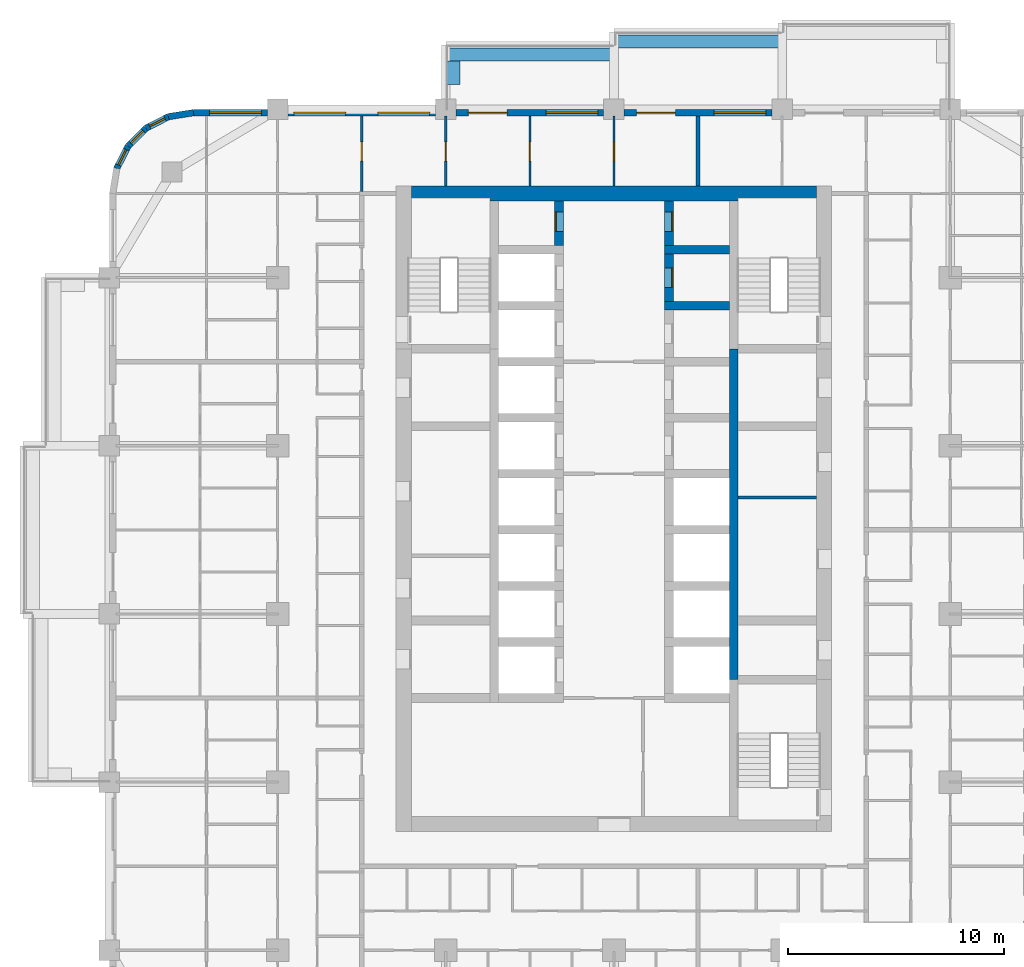
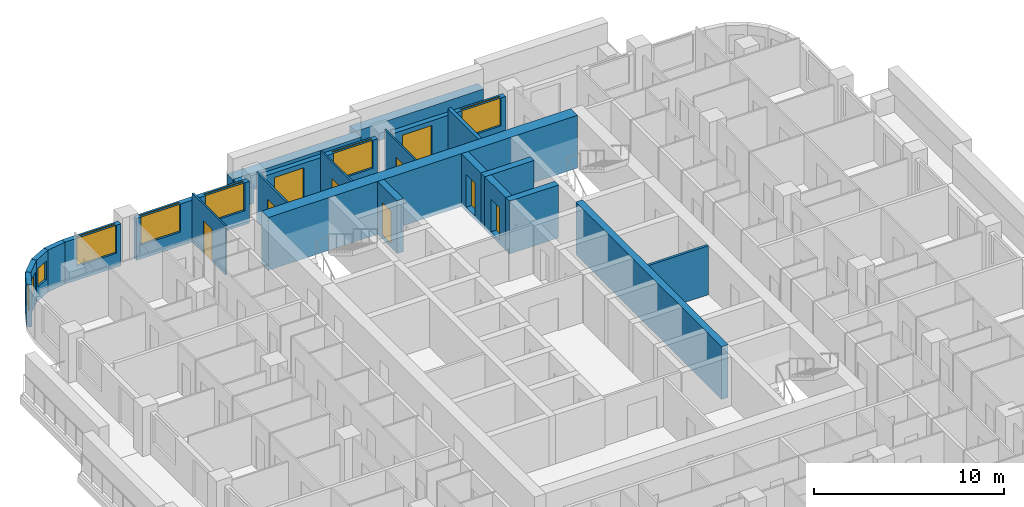
# One storey, part 11 of 17: 24 walls, 9 doors, 8 windows, 17 openings.
"""IFC4 building model written with IfcOpenShell, lengths in metres."""

from ifc_helpers import new_model, si_unit, direction, frame, frame_2d, origin, place, context, subcontext, project, spatial, rectangle, extrude, material, layer, layer_set, type_object, element, fill, save


model = new_model("IFC4")

# Units and contexts
model_context = context("Model", 3, precision=1e-05, world=origin(), true_north=direction((0.0, 1.0)))
body_context = subcontext(model_context, "Body", "Model", "MODEL_VIEW")
ifc_project = project(units=[si_unit("LENGTHUNIT", "METRE"), si_unit("AREAUNIT", "SQUARE_METRE"), si_unit("VOLUMEUNIT", "CUBIC_METRE"), si_unit("PLANEANGLEUNIT", "RADIAN"), si_unit("MASSUNIT", "GRAM", prefix="KILO")], contexts=[model_context])

# Site, building, storey
site_placement = place(None, origin())
site = spatial("IfcSite", under=ifc_project, at=site_placement, CompositionType="ELEMENT")
building_placement = place(site_placement, origin())
building = spatial("IfcBuilding", under=site, at=building_placement, Name="Ludao Terraces", CompositionType="ELEMENT")
storey_placement = place(building_placement, frame((0.0, 0.0, 85.199951171875)))
storey = spatial("IfcBuildingStorey", under=building, at=storey_placement, Name="L23", CompositionType="ELEMENT", Elevation=85.199951171875)

# Walls
ifc_material_1 = material(Name="Concrete C70", Category="concrete")
ifc_layer_1 = layer(ifc_material_1, 0.699951171875)
ifc_layer_set_1 = layer_set([ifc_layer_1], Name="Core wall 700 C70")
wall_type_1 = type_object("IfcWallType", Name="Core wall 700 C70", PredefinedType="SOLIDWALL", material=ifc_layer_set_1)
wall_1_placement = place(storey_placement, frame((75.60009765625, 84.5, -0.25), z_axis=(0.0, 0.0, 1.0), x_axis=(1.0, 0.0, 0.0)))
element("IfcWall", 1, at=wall_1_placement, inside=storey, type_object=wall_type_1, Name="Core wall L23 outer-N", PredefinedType="SOLIDWALL", context=body_context, shape_type="SweptSolid", body=[
    extrude(rectangle(XDim=18.7998046875, YDim=0.699951171875, at=frame_2d((9.39990234375, 0.0))), origin(), (0.0, 0.0, 1.0), 3.400146484375),
])
ifc_material_2 = material(Name="Concrete C40", Category="concrete")
ifc_layer_2 = layer(ifc_material_2, 0.60009765625)
ifc_layer_set_2 = layer_set([ifc_layer_2], Name="ENV Planter trough 600")
wall_type_2 = type_object("IfcWallType", Name="ENV Planter trough 600", PredefinedType="USERDEFINED", material=ifc_layer_set_2)
wall_2_placement = place(storey_placement, frame((77.199951171875, 90.949951171875, 0.0), z_axis=(0.0, 0.0, 1.0), x_axis=(1.0, 0.0, 0.0)))
element("IfcWall", 2, at=wall_2_placement, inside=storey, type_object=wall_type_2, Name="PL-L23-N2", ObjectType="PLANTER", PredefinedType="USERDEFINED", context=body_context, shape_type="SweptSolid", body=[
    extrude(rectangle(XDim=7.800048828125, YDim=0.60009765625, at=frame_2d((3.89990234375, 0.0))), origin(), (0.0, 0.0, 1.0), 1.10009765625),
])
wall_3_placement = place(storey_placement, frame((77.550048828125, 90.64990234375, 0.0), z_axis=(0.0, 0.0, 1.0), x_axis=(0.0, -1.0, 0.0)))
element("IfcWall", 3, at=wall_3_placement, inside=storey, type_object=wall_type_2, Name="PL-L23-N2-SA", ObjectType="PLANTER", PredefinedType="USERDEFINED", context=body_context, shape_type="SweptSolid", body=[
    extrude(rectangle(XDim=1.099853515625, YDim=0.60009765625, at=frame_2d((0.5498046875, 0.0))), origin(), (0.0, 0.0, 1.0), 1.10009765625),
])
wall_4_placement = place(storey_placement, frame((85.0, 91.550048828125, 0.0), z_axis=(0.0, 0.0, 1.0), x_axis=(1.0, 0.0, 0.0)))
element("IfcWall", 4, at=wall_4_placement, inside=storey, type_object=wall_type_2, Name="PL-L23-N3", ObjectType="PLANTER", PredefinedType="USERDEFINED", context=body_context, shape_type="SweptSolid", body=[
    extrude(rectangle(XDim=7.800048828125, YDim=0.60009765625, at=frame_2d((3.89990234375, 0.0))), origin(), (0.0, 0.0, 1.0), 1.10009765625),
])

# Wall, opening, window
ifc_material_3 = material(Name="Granite cladding", Category="masonry")
ifc_layer_3 = layer(ifc_material_3, 0.0400390625, Category="stone")
ifc_material_4 = material(Name="Mineral wool")
ifc_layer_4 = layer(ifc_material_4, 0.06005859375)
ifc_layer_5 = layer(ifc_material_2, 0.199951171875, Category="concrete")
ifc_layer_set_3 = layer_set([ifc_layer_3, ifc_layer_4, ifc_layer_5], Name="ENV Stone-clad wall 300")
wall_type_3 = type_object("IfcWallType", Name="ENV Stone-clad wall 300", PredefinedType="SOLIDWALL", material=ifc_layer_set_3)
wall_5_placement = place(storey_placement, frame((65.5, 88.25, 0.0), z_axis=(0.0, 0.0, 1.0), x_axis=(1.0, 0.0, 0.0)))
wall_5 = element("IfcWall", 5, at=wall_5_placement, inside=storey, type_object=wall_type_3, Name="EW-L23-N1", PredefinedType="SOLIDWALL", context=body_context, shape_type="SweptSolid", body=[
    extrude(rectangle(XDim=3.425048828125, YDim=0.300048828125, at=frame_2d((1.71240234375, 0.0))), origin(), (0.0, 0.0, 1.0), 2.699951171875),
])
opening_1_placement = place(wall_5_placement, frame((0.75, 0.0, 0.89990234375)))
opening_1 = element("IfcOpeningElement", 6, at=opening_1_placement, cuts=wall_5, Name="Opening W1", PredefinedType="OPENING", context=body_context, shape_type="SweptSolid", body=[
    extrude(rectangle(XDim=2.39990234375, YDim=1.800048828125, at=frame_2d((1.199951171875, 0.89990234375))), frame((0.0, 0.16015625, 0.0), z_axis=(0.0, -1.0, 0.0), x_axis=(1.0, 0.0, 0.0)), (0.0, 0.0, 1.0), 0.320068359375),
])
ifc_material_5 = material(Name="Clear glass in aluminium frame", Category="aluminium")
ifc_layer_6 = layer(ifc_material_5, 0.06005859375)
ifc_layer_set_4 = layer_set([ifc_layer_6], Name="ENV Window W1 2400x1800")
window_type_1 = type_object("IfcWindowType", Name="ENV Window W1 2400x1800", PartitioningType="DOUBLE_PANEL_VERTICAL", PredefinedType="WINDOW", material=ifc_layer_set_4)
window_1_placement = place(opening_1_placement, origin())
window_1 = element("IfcWindow", 7, at=window_1_placement, inside=storey, type_object=window_type_1, Name="W-L23-N1-1", OverallHeight=1.800048828125, OverallWidth=2.39990234375, PartitioningType="DOUBLE_PANEL_VERTICAL", PredefinedType="WINDOW", context=body_context, shape_type="SweptSolid", body=[
    extrude(rectangle(XDim=2.39990234375, YDim=1.800048828125, at=frame_2d((1.199951171875, 0.89990234375))), frame((0.0, 0.030029296875, 0.0), z_axis=(0.0, -1.0, 0.0), x_axis=(1.0, 0.0, 0.0)), (0.0, 0.0, 1.0), 0.06005859375),
])
fill(opening_1, window_1)

# Wall, openings, windows
wall_6_placement = place(storey_placement, frame((69.875, 88.25, 0.0), z_axis=(0.0, 0.0, 1.0), x_axis=(1.0, 0.0, 0.0)))
wall_6 = element("IfcWall", 8, at=wall_6_placement, inside=storey, type_object=wall_type_3, Name="EW-L23-N2", PredefinedType="SOLIDWALL", context=body_context, shape_type="SweptSolid", body=[
    extrude(rectangle(XDim=6.85009765625, YDim=0.300048828125, at=frame_2d((3.425048828125, 0.0))), origin(), (0.0, 0.0, 1.0), 2.699951171875),
])
opening_2_placement = place(wall_6_placement, frame((0.27490234375, 0.0, 0.89990234375)))
opening_2 = element("IfcOpeningElement", 9, at=opening_2_placement, cuts=wall_6, Name="Opening W1", PredefinedType="OPENING", context=body_context, shape_type="SweptSolid", body=[
    extrude(rectangle(XDim=2.39990234375, YDim=1.800048828125, at=frame_2d((1.199951171875, 0.89990234375))), frame((0.0, 0.16015625, 0.0), z_axis=(0.0, -1.0, 0.0), x_axis=(1.0, 0.0, 0.0)), (0.0, 0.0, 1.0), 0.320068359375),
])
opening_3_placement = place(wall_6_placement, frame((4.175048828125, 0.0, 0.89990234375)))
opening_3 = element("IfcOpeningElement", 10, at=opening_3_placement, cuts=wall_6, Name="Opening W1", PredefinedType="OPENING", context=body_context, shape_type="SweptSolid", body=[
    extrude(rectangle(XDim=2.39990234375, YDim=1.800048828125, at=frame_2d((1.199951171875, 0.89990234375))), frame((0.0, 0.16015625, 0.0), z_axis=(0.0, -1.0, 0.0), x_axis=(1.0, 0.0, 0.0)), (0.0, 0.0, 1.0), 0.320068359375),
])
window_2_placement = place(opening_2_placement, origin())
window_2 = element("IfcWindow", 11, at=window_2_placement, inside=storey, type_object=window_type_1, Name="W-L23-N2-1", OverallHeight=1.800048828125, OverallWidth=2.39990234375, PartitioningType="DOUBLE_PANEL_VERTICAL", PredefinedType="WINDOW", context=body_context, shape_type="SweptSolid", body=[
    extrude(rectangle(XDim=2.39990234375, YDim=1.800048828125, at=frame_2d((1.199951171875, 0.89990234375))), frame((0.0, 0.030029296875, 0.0), z_axis=(0.0, -1.0, 0.0), x_axis=(1.0, 0.0, 0.0)), (0.0, 0.0, 1.0), 0.06005859375),
])
fill(opening_2, window_2)
window_3_placement = place(opening_3_placement, origin())
window_3 = element("IfcWindow", 12, at=window_3_placement, inside=storey, type_object=window_type_1, Name="W-L23-N2-2", OverallHeight=1.800048828125, OverallWidth=2.39990234375, PartitioningType="DOUBLE_PANEL_VERTICAL", PredefinedType="WINDOW", context=body_context, shape_type="SweptSolid", body=[
    extrude(rectangle(XDim=2.39990234375, YDim=1.800048828125, at=frame_2d((1.199951171875, 0.89990234375))), frame((0.0, 0.030029296875, 0.0), z_axis=(0.0, -1.0, 0.0), x_axis=(1.0, 0.0, 0.0)), (0.0, 0.0, 1.0), 0.06005859375),
])
fill(opening_3, window_3)

# Wall, openings, door, window
wall_7_placement = place(storey_placement, frame((77.675048828125, 88.25, 0.0), z_axis=(0.0, 0.0, 1.0), x_axis=(1.0, 0.0, 0.0)))
wall_7 = element("IfcWall", 13, at=wall_7_placement, inside=storey, type_object=wall_type_3, Name="EW-L23-N3", PredefinedType="SOLIDWALL", context=body_context, shape_type="SweptSolid", body=[
    extrude(rectangle(XDim=6.849853515625, YDim=0.300048828125, at=frame_2d((3.4248046875, 0.0))), origin(), (0.0, 0.0, 1.0), 2.699951171875),
])
opening_4_placement = place(wall_7_placement, frame((0.574951171875, 0.0, 0.0)))
opening_4 = element("IfcOpeningElement", 14, at=opening_4_placement, cuts=wall_7, Name="Opening BD", PredefinedType="OPENING", context=body_context, shape_type="SweptSolid", body=[
    extrude(rectangle(XDim=1.800048828125, YDim=2.39990234375, at=frame_2d((0.89990234375, 1.199951171875))), frame((0.0, 0.16015625, 0.0), z_axis=(0.0, -1.0, 0.0), x_axis=(1.0, 0.0, 0.0)), (0.0, 0.0, 1.0), 0.320068359375),
])
opening_5_placement = place(wall_7_placement, frame((4.175048828125, 0.0, 0.89990234375)))
opening_5 = element("IfcOpeningElement", 15, at=opening_5_placement, cuts=wall_7, Name="Opening W1", PredefinedType="OPENING", context=body_context, shape_type="SweptSolid", body=[
    extrude(rectangle(XDim=2.39990234375, YDim=1.800048828125, at=frame_2d((1.199951171875, 0.89990234375))), frame((0.0, 0.16015625, 0.0), z_axis=(0.0, -1.0, 0.0), x_axis=(1.0, 0.0, 0.0)), (0.0, 0.0, 1.0), 0.320068359375),
])
ifc_material_6 = material(Name="Aluminium glazed door", Category="aluminium")
ifc_layer_7 = layer(ifc_material_6, 0.06005859375)
ifc_layer_set_5 = layer_set([ifc_layer_7], Name="ENV Balcony door BD 1800x2400")
door_type_1 = type_object("IfcDoorType", Name="ENV Balcony door BD 1800x2400", OperationType="DOUBLE_DOOR_SINGLE_SWING", PredefinedType="DOOR", material=ifc_layer_set_5)
door_1_placement = place(opening_4_placement, origin())
door_1 = element("IfcDoor", 16, at=door_1_placement, inside=storey, type_object=door_type_1, Name="BD-L23-N3-1", OperationType="DOUBLE_DOOR_SINGLE_SWING", OverallHeight=2.39990234375, OverallWidth=1.800048828125, PredefinedType="DOOR", context=body_context, shape_type="SweptSolid", body=[
    extrude(rectangle(XDim=1.800048828125, YDim=2.39990234375, at=frame_2d((0.89990234375, 1.199951171875))), frame((0.0, 0.02490234375, 0.0), z_axis=(0.0, -1.0, 0.0), x_axis=(1.0, 0.0, 0.0)), (0.0, 0.0, 1.0), 0.050048828125),
])
fill(opening_4, door_1)
window_4_placement = place(opening_5_placement, origin())
window_4 = element("IfcWindow", 17, at=window_4_placement, inside=storey, type_object=window_type_1, Name="W-L23-N3-2", OverallHeight=1.800048828125, OverallWidth=2.39990234375, PartitioningType="DOUBLE_PANEL_VERTICAL", PredefinedType="WINDOW", context=body_context, shape_type="SweptSolid", body=[
    extrude(rectangle(XDim=2.39990234375, YDim=1.800048828125, at=frame_2d((1.199951171875, 0.89990234375))), frame((0.0, 0.030029296875, 0.0), z_axis=(0.0, -1.0, 0.0), x_axis=(1.0, 0.0, 0.0)), (0.0, 0.0, 1.0), 0.06005859375),
])
fill(opening_5, window_4)

wall_8_placement = place(storey_placement, frame((85.47509765625, 88.25, 0.0), z_axis=(0.0, 0.0, 1.0), x_axis=(1.0, 0.0, 0.0)))
wall_8 = element("IfcWall", 18, at=wall_8_placement, inside=storey, type_object=wall_type_3, Name="EW-L23-N4", PredefinedType="SOLIDWALL", context=body_context, shape_type="SweptSolid", body=[
    extrude(rectangle(XDim=6.849853515625, YDim=0.300048828125, at=frame_2d((3.4248046875, 0.0))), origin(), (0.0, 0.0, 1.0), 2.699951171875),
])
opening_6_placement = place(wall_8_placement, frame((0.574951171875, 0.0, 0.0)))
opening_6 = element("IfcOpeningElement", 19, at=opening_6_placement, cuts=wall_8, Name="Opening BD", PredefinedType="OPENING", context=body_context, shape_type="SweptSolid", body=[
    extrude(rectangle(XDim=1.800048828125, YDim=2.39990234375, at=frame_2d((0.89990234375, 1.199951171875))), frame((0.0, 0.16015625, 0.0), z_axis=(0.0, -1.0, 0.0), x_axis=(1.0, 0.0, 0.0)), (0.0, 0.0, 1.0), 0.320068359375),
])
opening_7_placement = place(wall_8_placement, frame((4.175048828125, 0.0, 0.89990234375)))
opening_7 = element("IfcOpeningElement", 20, at=opening_7_placement, cuts=wall_8, Name="Opening W1", PredefinedType="OPENING", context=body_context, shape_type="SweptSolid", body=[
    extrude(rectangle(XDim=2.39990234375, YDim=1.800048828125, at=frame_2d((1.199951171875, 0.89990234375))), frame((0.0, 0.16015625, 0.0), z_axis=(0.0, -1.0, 0.0), x_axis=(1.0, 0.0, 0.0)), (0.0, 0.0, 1.0), 0.320068359375),
])
door_2_placement = place(opening_6_placement, origin())
door_2 = element("IfcDoor", 21, at=door_2_placement, inside=storey, type_object=door_type_1, Name="BD-L23-N4-1", OperationType="DOUBLE_DOOR_SINGLE_SWING", OverallHeight=2.39990234375, OverallWidth=1.800048828125, PredefinedType="DOOR", context=body_context, shape_type="SweptSolid", body=[
    extrude(rectangle(XDim=1.800048828125, YDim=2.39990234375, at=frame_2d((0.89990234375, 1.199951171875))), frame((0.0, 0.02490234375, 0.0), z_axis=(0.0, -1.0, 0.0), x_axis=(1.0, 0.0, 0.0)), (0.0, 0.0, 1.0), 0.050048828125),
])
fill(opening_6, door_2)
window_5_placement = place(opening_7_placement, origin())
window_5 = element("IfcWindow", 22, at=window_5_placement, inside=storey, type_object=window_type_1, Name="W-L23-N4-2", OverallHeight=1.800048828125, OverallWidth=2.39990234375, PartitioningType="DOUBLE_PANEL_VERTICAL", PredefinedType="WINDOW", context=body_context, shape_type="SweptSolid", body=[
    extrude(rectangle(XDim=2.39990234375, YDim=1.800048828125, at=frame_2d((1.199951171875, 0.89990234375))), frame((0.0, 0.030029296875, 0.0), z_axis=(0.0, -1.0, 0.0), x_axis=(1.0, 0.0, 0.0)), (0.0, 0.0, 1.0), 0.06005859375),
])
fill(opening_7, window_5)

# Wall
wall_9_placement = place(storey_placement, frame((65.5, 88.25, 0.0), z_axis=(0.0, 0.0, 1.0), x_axis=(-0.987678452879, -0.156496880861, 0.0)))
element("IfcWall", 23, at=wall_9_placement, inside=storey, type_object=wall_type_3, Name="EW-L23-NW1", PredefinedType="SOLIDWALL", context=body_context, shape_type="SweptSolid", body=[
    extrude(rectangle(XDim=1.173095703125, YDim=0.300048828125, at=frame_2d((0.58642578125, 0.0))), origin(), (0.0, 0.0, 1.0), 2.699951171875),
])

# Wall, opening, window
wall_10_placement = place(storey_placement, frame((64.34130859375, 88.06640625, 0.0), z_axis=(0.0, 0.0, 1.0), x_axis=(-0.890988677504, -0.454025524128, 0.0)))
wall_10 = element("IfcWall", 24, at=wall_10_placement, inside=storey, type_object=wall_type_3, Name="EW-L23-NW2", PredefinedType="SOLIDWALL", context=body_context, shape_type="SweptSolid", body=[
    extrude(rectangle(XDim=1.17333984375, YDim=0.300048828125, at=frame_2d((0.586669921875, 0.0))), origin(), (0.0, 0.0, 1.0), 2.699951171875),
])
opening_8_placement = place(wall_10_placement, frame((0.1865234375, 0.0, 0.89990234375)))
opening_8 = element("IfcOpeningElement", 25, at=opening_8_placement, cuts=wall_10, Name="Opening W3", PredefinedType="OPENING", context=body_context, shape_type="SweptSolid", body=[
    extrude(rectangle(XDim=0.800048828125, YDim=1.199951171875, at=frame_2d((0.39990234375, 0.60009765625))), frame((0.0, 0.16015625, 0.0), z_axis=(0.0, -1.0, 0.0), x_axis=(1.0, 0.0, 0.0)), (0.0, 0.0, 1.0), 0.320068359375),
])
ifc_layer_8 = layer(ifc_material_5, 0.06005859375)
ifc_layer_set_6 = layer_set([ifc_layer_8], Name="ENV Window W3 800x1200")
window_type_2 = type_object("IfcWindowType", Name="ENV Window W3 800x1200", PartitioningType="SINGLE_PANEL", PredefinedType="WINDOW", material=ifc_layer_set_6)
window_6_placement = place(opening_8_placement, origin())
window_6 = element("IfcWindow", 26, at=window_6_placement, inside=storey, type_object=window_type_2, Name="W-L23-NW2", OverallHeight=1.199951171875, OverallWidth=0.800048828125, PartitioningType="SINGLE_PANEL", PredefinedType="WINDOW", context=body_context, shape_type="SweptSolid", body=[
    extrude(rectangle(XDim=0.800048828125, YDim=1.199951171875, at=frame_2d((0.39990234375, 0.60009765625))), frame((0.0, 0.030029296875, 0.0), z_axis=(0.0, -1.0, 0.0), x_axis=(1.0, 0.0, 0.0)), (0.0, 0.0, 1.0), 0.06005859375),
])
fill(opening_8, window_6)

wall_11_placement = place(storey_placement, frame((63.2958984375, 87.53369140625, 0.0), z_axis=(0.0, 0.0, 1.0), x_axis=(-0.707106781187, -0.707106781187, 0.0)))
wall_11 = element("IfcWall", 27, at=wall_11_placement, inside=storey, type_object=wall_type_3, Name="EW-L23-NW3", PredefinedType="SOLIDWALL", context=body_context, shape_type="SweptSolid", body=[
    extrude(rectangle(XDim=1.173095703125, YDim=0.300048828125, at=frame_2d((0.58642578125, 0.0))), origin(), (0.0, 0.0, 1.0), 2.699951171875),
])
opening_9_placement = place(wall_11_placement, frame((0.1865234375, 0.0, 0.89990234375)))
opening_9 = element("IfcOpeningElement", 28, at=opening_9_placement, cuts=wall_11, Name="Opening W3", PredefinedType="OPENING", context=body_context, shape_type="SweptSolid", body=[
    extrude(rectangle(XDim=0.800048828125, YDim=1.199951171875, at=frame_2d((0.39990234375, 0.60009765625))), frame((0.0, 0.16015625, 0.0), z_axis=(0.0, -1.0, 0.0), x_axis=(1.0, 0.0, 0.0)), (0.0, 0.0, 1.0), 0.320068359375),
])
window_7_placement = place(opening_9_placement, origin())
window_7 = element("IfcWindow", 29, at=window_7_placement, inside=storey, type_object=window_type_2, Name="W-L23-NW3", OverallHeight=1.199951171875, OverallWidth=0.800048828125, PartitioningType="SINGLE_PANEL", PredefinedType="WINDOW", context=body_context, shape_type="SweptSolid", body=[
    extrude(rectangle(XDim=0.800048828125, YDim=1.199951171875, at=frame_2d((0.39990234375, 0.60009765625))), frame((0.0, 0.030029296875, 0.0), z_axis=(0.0, -1.0, 0.0), x_axis=(1.0, 0.0, 0.0)), (0.0, 0.0, 1.0), 0.06005859375),
])
fill(opening_9, window_7)

wall_12_placement = place(storey_placement, frame((62.46630859375, 86.7041015625, 0.0), z_axis=(0.0, 0.0, 1.0), x_axis=(-0.454025524128, -0.890988677504, 0.0)))
wall_12 = element("IfcWall", 30, at=wall_12_placement, inside=storey, type_object=wall_type_3, Name="EW-L23-NW4", PredefinedType="SOLIDWALL", context=body_context, shape_type="SweptSolid", body=[
    extrude(rectangle(XDim=1.17333984375, YDim=0.300048828125, at=frame_2d((0.586669921875, 0.0))), origin(), (0.0, 0.0, 1.0), 2.699951171875),
])
opening_10_placement = place(wall_12_placement, frame((0.1865234375, 0.0, 0.89990234375)))
opening_10 = element("IfcOpeningElement", 31, at=opening_10_placement, cuts=wall_12, Name="Opening W3", PredefinedType="OPENING", context=body_context, shape_type="SweptSolid", body=[
    extrude(rectangle(XDim=0.800048828125, YDim=1.199951171875, at=frame_2d((0.39990234375, 0.60009765625))), frame((0.0, 0.16015625, 0.0), z_axis=(0.0, -1.0, 0.0), x_axis=(1.0, 0.0, 0.0)), (0.0, 0.0, 1.0), 0.320068359375),
])
window_8_placement = place(opening_10_placement, origin())
window_8 = element("IfcWindow", 32, at=window_8_placement, inside=storey, type_object=window_type_2, Name="W-L23-NW4", OverallHeight=1.199951171875, OverallWidth=0.800048828125, PartitioningType="SINGLE_PANEL", PredefinedType="WINDOW", context=body_context, shape_type="SweptSolid", body=[
    extrude(rectangle(XDim=0.800048828125, YDim=1.199951171875, at=frame_2d((0.39990234375, 0.60009765625))), frame((0.0, 0.030029296875, 0.0), z_axis=(0.0, -1.0, 0.0), x_axis=(1.0, 0.0, 0.0)), (0.0, 0.0, 1.0), 0.06005859375),
])
fill(opening_10, window_8)

# Wall
ifc_material_7 = material(Name="Fire-rated gypsum plasterboard", Category="gypsum")
ifc_layer_9 = layer(ifc_material_7, 0.012451171875, Category="gypsum")
ifc_layer_10 = layer(ifc_material_4, 0.10009765625, Name="insulation")
ifc_material_8 = material(Name="Steel Q235", Category="steel")
ifc_layer_11 = layer(ifc_material_8, 0.02490234375, Name="stud")
ifc_layer_12 = layer(ifc_material_7, 0.012451171875, Category="gypsum")
ifc_layer_set_7 = layer_set([ifc_layer_9, ifc_layer_10, ifc_layer_11, ifc_layer_12], Name="INT Core partition 150")
wall_type_4 = type_object("IfcWallType", Name="INT Core partition 150", PredefinedType="PARTITIONING", material=ifc_layer_set_7)
wall_13_placement = place(storey_placement, frame((90.75, 70.39990234375, 0.0), z_axis=(0.0, 0.0, 1.0), x_axis=(1.0, 0.0, 0.0)))
element("IfcWall", 33, at=wall_13_placement, inside=storey, type_object=wall_type_4, Name="PW-L23-PW048", PredefinedType="PARTITIONING", context=body_context, shape_type="SweptSolid", body=[
    extrude(rectangle(XDim=3.650146484375, YDim=0.14990234375, at=frame_2d((1.8251953125, 0.0))), origin(), (0.0, 0.0, 1.0), 3.150146484375),
])

# Wall, opening, door
ifc_material_9 = material(Name="Gypsum plasterboard", Category="gypsum")
ifc_layer_13 = layer(ifc_material_9, 0.012451171875, Category="gypsum")
ifc_layer_14 = layer(ifc_material_4, 0.06005859375, Name="insulation")
ifc_layer_15 = layer(ifc_material_8, 0.014892578125, Name="stud")
ifc_layer_16 = layer(ifc_material_9, 0.012451171875, Category="gypsum")
ifc_layer_set_8 = layer_set([ifc_layer_13, ifc_layer_14, ifc_layer_15, ifc_layer_16], Name="INT Partition 100")
wall_type_5 = type_object("IfcWallType", Name="INT Partition 100", PredefinedType="PARTITIONING", material=ifc_layer_set_8)
wall_14_placement = place(storey_placement, frame((73.300048828125, 84.60009765625, 0.0), z_axis=(0.0, 0.0, 1.0), x_axis=(0.0, 1.0, 0.0)))
wall_14 = element("IfcWall", 34, at=wall_14_placement, inside=storey, type_object=wall_type_5, Name="PW-L23-PW089", PredefinedType="PARTITIONING", context=body_context, shape_type="SweptSolid", body=[
    extrude(rectangle(XDim=3.5, YDim=0.10009765625, at=frame_2d((1.75, 0.0))), origin(), (0.0, 0.0, 1.0), 3.150146484375),
])
opening_11_placement = place(wall_14_placement, frame((1.39990234375, 0.0, 0.0)))
opening_11 = element("IfcOpeningElement", 35, at=opening_11_placement, cuts=wall_14, Name="Opening R07-157", PredefinedType="OPENING", context=body_context, shape_type="SweptSolid", body=[
    extrude(rectangle(XDim=0.89990234375, YDim=2.10009765625, at=frame_2d((0.449951171875, 1.050048828125))), frame((0.0, 0.06005859375, 0.0), z_axis=(0.0, -1.0, 0.0), x_axis=(1.0, 0.0, 0.0)), (0.0, 0.0, 1.0), 0.1201171875),
])
ifc_material_10 = material(Name="Timber door leaf", Category="wood")
door_type_2 = type_object("IfcDoorType", Name="INT Room door 900", OperationType="SINGLE_SWING_LEFT", PredefinedType="DOOR", material=ifc_material_10)
door_3_placement = place(opening_11_placement, origin())
door_3 = element("IfcDoor", 36, at=door_3_placement, inside=storey, type_object=door_type_2, Name="DOOR 157", OperationType="SINGLE_SWING_LEFT", OverallHeight=2.10009765625, OverallWidth=0.89990234375, PredefinedType="DOOR", context=body_context, shape_type="SweptSolid", body=[
    extrude(rectangle(XDim=0.89990234375, YDim=2.10009765625, at=frame_2d((0.449951171875, 1.050048828125))), frame((0.0, 0.02490234375, 0.0), z_axis=(0.0, -1.0, 0.0), x_axis=(1.0, 0.0, 0.0)), (0.0, 0.0, 1.0), 0.050048828125),
])
fill(opening_11, door_3)

wall_15_placement = place(storey_placement, frame((77.199951171875, 84.85009765625, 0.0), z_axis=(0.0, 0.0, 1.0), x_axis=(0.0, 1.0, 0.0)))
wall_15 = element("IfcWall", 37, at=wall_15_placement, inside=storey, type_object=wall_type_5, Name="PW-L23-PW092", PredefinedType="PARTITIONING", context=body_context, shape_type="SweptSolid", body=[
    extrude(rectangle(XDim=3.25, YDim=0.10009765625, at=frame_2d((1.625, 0.0))), origin(), (0.0, 0.0, 1.0), 3.150146484375),
])
opening_12_placement = place(wall_15_placement, frame((1.14990234375, 0.0, 0.0)))
opening_12 = element("IfcOpeningElement", 38, at=opening_12_placement, cuts=wall_15, Name="Opening R07-158", PredefinedType="OPENING", context=body_context, shape_type="SweptSolid", body=[
    extrude(rectangle(XDim=0.89990234375, YDim=2.10009765625, at=frame_2d((0.449951171875, 1.050048828125))), frame((0.0, 0.06005859375, 0.0), z_axis=(0.0, -1.0, 0.0), x_axis=(1.0, 0.0, 0.0)), (0.0, 0.0, 1.0), 0.1201171875),
])
door_4_placement = place(opening_12_placement, origin())
door_4 = element("IfcDoor", 39, at=door_4_placement, inside=storey, type_object=door_type_2, Name="DOOR 158", OperationType="SINGLE_SWING_RIGHT", OverallHeight=2.10009765625, OverallWidth=0.89990234375, PredefinedType="DOOR", context=body_context, shape_type="SweptSolid", body=[
    extrude(rectangle(XDim=0.89990234375, YDim=2.10009765625, at=frame_2d((0.449951171875, 1.050048828125))), frame((0.0, 0.02490234375, 0.0), z_axis=(0.0, -1.0, 0.0), x_axis=(1.0, 0.0, 0.0)), (0.0, 0.0, 1.0), 0.050048828125),
])
fill(opening_12, door_4)

wall_16_placement = place(storey_placement, frame((81.10009765625, 84.85009765625, 0.0), z_axis=(0.0, 0.0, 1.0), x_axis=(0.0, 1.0, 0.0)))
wall_16 = element("IfcWall", 40, at=wall_16_placement, inside=storey, type_object=wall_type_5, Name="PW-L23-PW098", PredefinedType="PARTITIONING", context=body_context, shape_type="SweptSolid", body=[
    extrude(rectangle(XDim=3.25, YDim=0.10009765625, at=frame_2d((1.625, 0.0))), origin(), (0.0, 0.0, 1.0), 3.150146484375),
])
opening_13_placement = place(wall_16_placement, frame((1.14990234375, 0.0, 0.0)))
opening_13 = element("IfcOpeningElement", 41, at=opening_13_placement, cuts=wall_16, Name="Opening R07-159", PredefinedType="OPENING", context=body_context, shape_type="SweptSolid", body=[
    extrude(rectangle(XDim=0.89990234375, YDim=2.10009765625, at=frame_2d((0.449951171875, 1.050048828125))), frame((0.0, 0.06005859375, 0.0), z_axis=(0.0, -1.0, 0.0), x_axis=(1.0, 0.0, 0.0)), (0.0, 0.0, 1.0), 0.1201171875),
])
door_5_placement = place(opening_13_placement, origin())
door_5 = element("IfcDoor", 42, at=door_5_placement, inside=storey, type_object=door_type_2, Name="DOOR 159", OperationType="SINGLE_SWING_LEFT", OverallHeight=2.10009765625, OverallWidth=0.89990234375, PredefinedType="DOOR", context=body_context, shape_type="SweptSolid", body=[
    extrude(rectangle(XDim=0.89990234375, YDim=2.10009765625, at=frame_2d((0.449951171875, 1.050048828125))), frame((0.0, 0.02490234375, 0.0), z_axis=(0.0, -1.0, 0.0), x_axis=(1.0, 0.0, 0.0)), (0.0, 0.0, 1.0), 0.050048828125),
])
fill(opening_13, door_5)

wall_17_placement = place(storey_placement, frame((85.0, 84.85009765625, 0.0), z_axis=(0.0, 0.0, 1.0), x_axis=(0.0, 1.0, 0.0)))
wall_17 = element("IfcWall", 43, at=wall_17_placement, inside=storey, type_object=wall_type_5, Name="PW-L23-PW102", PredefinedType="PARTITIONING", context=body_context, shape_type="SweptSolid", body=[
    extrude(rectangle(XDim=3.25, YDim=0.10009765625, at=frame_2d((1.625, 0.0))), origin(), (0.0, 0.0, 1.0), 3.150146484375),
])
opening_14_placement = place(wall_17_placement, frame((1.14990234375, 0.0, 0.0)))
opening_14 = element("IfcOpeningElement", 44, at=opening_14_placement, cuts=wall_17, Name="Opening R07-160", PredefinedType="OPENING", context=body_context, shape_type="SweptSolid", body=[
    extrude(rectangle(XDim=0.89990234375, YDim=2.10009765625, at=frame_2d((0.449951171875, 1.050048828125))), frame((0.0, 0.06005859375, 0.0), z_axis=(0.0, -1.0, 0.0), x_axis=(1.0, 0.0, 0.0)), (0.0, 0.0, 1.0), 0.1201171875),
])
door_6_placement = place(opening_14_placement, origin())
door_6 = element("IfcDoor", 45, at=door_6_placement, inside=storey, type_object=door_type_2, Name="DOOR 160", OperationType="SINGLE_SWING_RIGHT", OverallHeight=2.10009765625, OverallWidth=0.89990234375, PredefinedType="DOOR", context=body_context, shape_type="SweptSolid", body=[
    extrude(rectangle(XDim=0.89990234375, YDim=2.10009765625, at=frame_2d((0.449951171875, 1.050048828125))), frame((0.0, 0.02490234375, 0.0), z_axis=(0.0, -1.0, 0.0), x_axis=(1.0, 0.0, 0.0)), (0.0, 0.0, 1.0), 0.050048828125),
])
fill(opening_14, door_6)

# Walls
ifc_material_11 = material(Name="Autoclaved aerated concrete block B06 A3.5", Category="concrete")
ifc_layer_17 = layer(ifc_material_11, 0.199951171875)
ifc_layer_set_9 = layer_set([ifc_layer_17], Name="INT Party wall 200")
wall_type_6 = type_object("IfcWallType", Name="INT Party wall 200", PredefinedType="PARTITIONING", material=ifc_layer_set_9)
wall_18_placement = place(storey_placement, frame((88.89990234375, 84.85009765625, 0.0), z_axis=(0.0, 0.0, 1.0), x_axis=(0.0, 1.0, 0.0)))
element("IfcWall", 46, at=wall_18_placement, inside=storey, type_object=wall_type_6, Name="PW-L23-PW107", PredefinedType="PARTITIONING", context=body_context, shape_type="SweptSolid", body=[
    extrude(rectangle(XDim=3.25, YDim=0.199951171875, at=frame_2d((1.625, 0.0))), origin(), (0.0, 0.0, 1.0), 3.150146484375),
])
ifc_material_12 = material(Name="Concrete C60", Category="concrete")
ifc_layer_18 = layer(ifc_material_12, 0.39990234375)
ifc_layer_set_10 = layer_set([ifc_layer_18], Name="Shaft wall 400 C60")
wall_type_7 = type_object("IfcWallType", Name="Shaft wall 400 C60", PredefinedType="SOLIDWALL", material=ifc_layer_set_10)
wall_19_placement = place(storey_placement, frame((90.550048828125, 61.949951171875, -0.25), z_axis=(0.0, 0.0, 1.0), x_axis=(0.0, 1.0, 0.0)))
element("IfcWall", 47, at=wall_19_placement, inside=storey, type_object=wall_type_7, Name="Core wall L23 back-E", PredefinedType="SOLIDWALL", context=body_context, shape_type="SweptSolid", body=[
    extrude(rectangle(XDim=15.35009765625, YDim=0.39990234375, at=frame_2d((7.675048828125, 0.0))), origin(), (0.0, 0.0, 1.0), 3.400146484375),
])

# Wall, opening, door
wall_20_placement = place(storey_placement, frame((82.449951171875, 82.10009765625, -0.25), z_axis=(0.0, 0.0, 1.0), x_axis=(0.0, 1.0, 0.0)))
wall_20 = element("IfcWall", 48, at=wall_20_placement, inside=storey, type_object=wall_type_7, Name="Core wall L23 front-W9", PredefinedType="SOLIDWALL", context=body_context, shape_type="SweptSolid", body=[
    extrude(rectangle(XDim=2.0498046875, YDim=0.39990234375, at=frame_2d((1.02490234375, 0.0))), origin(), (0.0, 0.0, 1.0), 3.400146484375),
])
opening_15_placement = place(wall_20_placement, frame((0.64990234375, 0.0, 0.25)))
opening_15 = element("IfcOpeningElement", 49, at=opening_15_placement, cuts=wall_20, Name="Opening R07-147", PredefinedType="OPENING", context=body_context, shape_type="SweptSolid", body=[
    extrude(rectangle(XDim=0.89990234375, YDim=2.10009765625, at=frame_2d((0.449951171875, 1.050048828125))), frame((0.0, 0.2099609375, 0.0), z_axis=(0.0, -1.0, 0.0), x_axis=(1.0, 0.0, 0.0)), (0.0, 0.0, 1.0), 0.419921875),
])
door_7_placement = place(opening_15_placement, origin())
door_7 = element("IfcDoor", 50, at=door_7_placement, inside=storey, type_object=door_type_2, Name="DOOR 147", OperationType="SINGLE_SWING_RIGHT", OverallHeight=2.10009765625, OverallWidth=0.89990234375, PredefinedType="DOOR", context=body_context, shape_type="SweptSolid", body=[
    extrude(rectangle(XDim=0.89990234375, YDim=2.10009765625, at=frame_2d((0.449951171875, 1.050048828125))), frame((0.0, 0.18505859375, 0.0), z_axis=(0.0, -1.0, 0.0), x_axis=(1.0, 0.0, 0.0)), (0.0, 0.0, 1.0), 0.050048828125),
])
fill(opening_15, door_7)

# Wall
wall_21_placement = place(storey_placement, frame((87.35009765625, 79.300048828125, -0.25), z_axis=(0.0, 0.0, 1.0), x_axis=(1.0, 0.0, 0.0)))
element("IfcWall", 51, at=wall_21_placement, inside=storey, type_object=wall_type_7, Name="Core wall L23 div-E8", PredefinedType="SOLIDWALL", context=body_context, shape_type="SweptSolid", body=[
    extrude(rectangle(XDim=3.0, YDim=0.39990234375, at=frame_2d((1.5, 0.0))), origin(), (0.0, 0.0, 1.0), 3.400146484375),
])

# Wall, opening, door
wall_22_placement = place(storey_placement, frame((87.550048828125, 79.5, -0.25), z_axis=(0.0, 0.0, 1.0), x_axis=(0.0, 1.0, 0.0)))
wall_22 = element("IfcWall", 52, at=wall_22_placement, inside=storey, type_object=wall_type_7, Name="Core wall L23 front-E8", PredefinedType="SOLIDWALL", context=body_context, shape_type="SweptSolid", body=[
    extrude(rectangle(XDim=2.199951171875, YDim=0.39990234375, at=frame_2d((1.10009765625, 0.0))), origin(), (0.0, 0.0, 1.0), 3.400146484375),
])
opening_16_placement = place(wall_22_placement, frame((0.64990234375, 0.0, 0.25)))
opening_16 = element("IfcOpeningElement", 53, at=opening_16_placement, cuts=wall_22, Name="Opening R07-140", PredefinedType="OPENING", context=body_context, shape_type="SweptSolid", body=[
    extrude(rectangle(XDim=0.89990234375, YDim=2.10009765625, at=frame_2d((0.449951171875, 1.050048828125))), frame((0.0, 0.2099609375, 0.0), z_axis=(0.0, -1.0, 0.0), x_axis=(1.0, 0.0, 0.0)), (0.0, 0.0, 1.0), 0.419921875),
])
door_8_placement = place(opening_16_placement, origin())
door_8 = element("IfcDoor", 54, at=door_8_placement, inside=storey, type_object=door_type_2, Name="DOOR 140", OperationType="SINGLE_SWING_LEFT", OverallHeight=2.10009765625, OverallWidth=0.89990234375, PredefinedType="DOOR", context=body_context, shape_type="SweptSolid", body=[
    extrude(rectangle(XDim=0.89990234375, YDim=2.10009765625, at=frame_2d((0.449951171875, 1.050048828125))), frame((0.0, -0.134765625, 0.0), z_axis=(0.0, -1.0, 0.0), x_axis=(1.0, 0.0, 0.0)), (0.0, 0.0, 1.0), 0.050048828125),
])
fill(opening_16, door_8)

# Wall
wall_23_placement = place(storey_placement, frame((87.35009765625, 81.89990234375, -0.25), z_axis=(0.0, 0.0, 1.0), x_axis=(1.0, 0.0, 0.0)))
element("IfcWall", 55, at=wall_23_placement, inside=storey, type_object=wall_type_7, Name="Core wall L23 div-E9", PredefinedType="SOLIDWALL", context=body_context, shape_type="SweptSolid", body=[
    extrude(rectangle(XDim=3.0, YDim=0.39990234375, at=frame_2d((1.5, 0.0))), origin(), (0.0, 0.0, 1.0), 3.400146484375),
])

# Wall, opening, door
wall_24_placement = place(storey_placement, frame((87.550048828125, 82.10009765625, -0.25), z_axis=(0.0, 0.0, 1.0), x_axis=(0.0, 1.0, 0.0)))
wall_24 = element("IfcWall", 56, at=wall_24_placement, inside=storey, type_object=wall_type_7, Name="Core wall L23 front-E9", PredefinedType="SOLIDWALL", context=body_context, shape_type="SweptSolid", body=[
    extrude(rectangle(XDim=2.0498046875, YDim=0.39990234375, at=frame_2d((1.02490234375, 0.0))), origin(), (0.0, 0.0, 1.0), 3.400146484375),
])
opening_17_placement = place(wall_24_placement, frame((0.64990234375, 0.0, 0.25)))
opening_17 = element("IfcOpeningElement", 57, at=opening_17_placement, cuts=wall_24, Name="Opening R07-148", PredefinedType="OPENING", context=body_context, shape_type="SweptSolid", body=[
    extrude(rectangle(XDim=0.89990234375, YDim=2.10009765625, at=frame_2d((0.449951171875, 1.050048828125))), frame((0.0, 0.2099609375, 0.0), z_axis=(0.0, -1.0, 0.0), x_axis=(1.0, 0.0, 0.0)), (0.0, 0.0, 1.0), 0.419921875),
])
door_9_placement = place(opening_17_placement, origin())
door_9 = element("IfcDoor", 58, at=door_9_placement, inside=storey, type_object=door_type_2, Name="DOOR 148", OperationType="SINGLE_SWING_LEFT", OverallHeight=2.10009765625, OverallWidth=0.89990234375, PredefinedType="DOOR", context=body_context, shape_type="SweptSolid", body=[
    extrude(rectangle(XDim=0.89990234375, YDim=2.10009765625, at=frame_2d((0.449951171875, 1.050048828125))), frame((0.0, -0.134765625, 0.0), z_axis=(0.0, -1.0, 0.0), x_axis=(1.0, 0.0, 0.0)), (0.0, 0.0, 1.0), 0.050048828125),
])
fill(opening_17, door_9)

save(model, "model.ifc")
